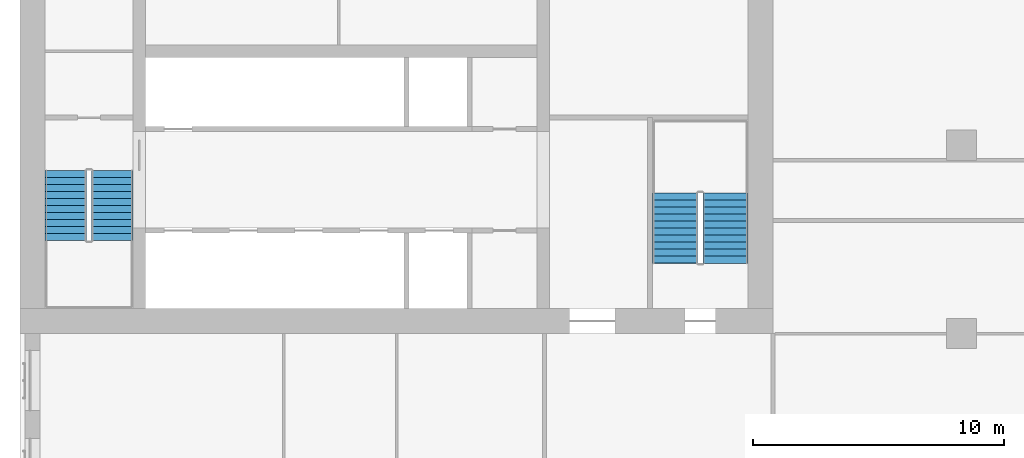
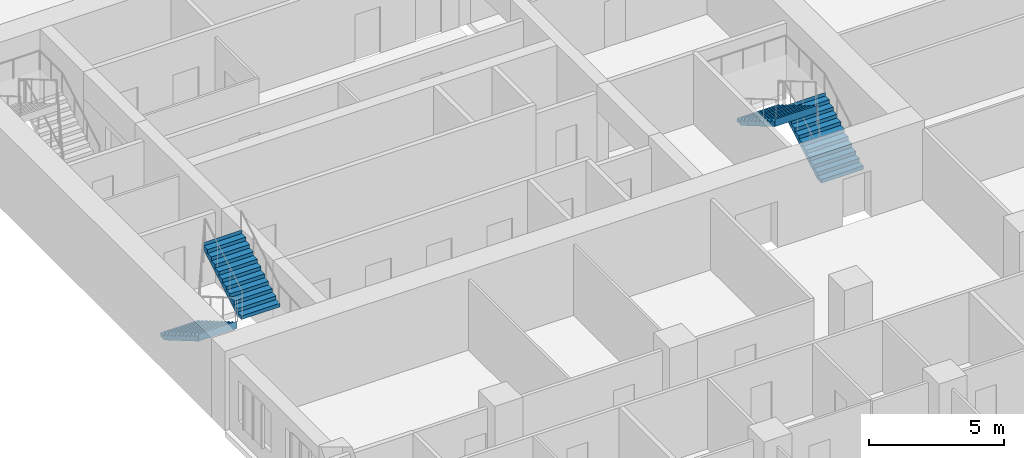
# One storey, part 12 of 14: 4 stair flights, 2 elements without a shape of their own.
"""IFC4 building model written with IfcOpenShell, lengths in metres."""

import ifcopenshell
import ifcopenshell.guid

model = None  # the IFC model being written
_history = None  # IfcOwnerHistory: only IFC2X3 demands one
_inside = {}  # id of a spatial element -> (the spatial element, [elements in it])
_under = {}  # id of a project, library or spatial element -> (it, [spatial elements below it])
_declared = {}  # id of a project -> (the project, [libraries it declares])
_typed = {}  # id of a type object -> (the type object, [elements of that type])
_made_of = {}  # id of a material, layer set ... -> (it, [elements and type objects made of it])


def new_model(schema):
    """Start an empty IFC model of exactly this schema.

    Asked for "IFC4X3", IfcOpenShell would pick the latest addendum, in which some entities
    have other attributes; the version numbers below select the first issue.
    IFC2X3 requires an IfcOwnerHistory on every rooted entity: one is made here for all.
    """
    global model, _history
    if schema == "IFC4X3":
        model = ifcopenshell.file(schema_version=(4, 3, 0, 0))
    else:
        model = ifcopenshell.file(schema=schema)
    _inside.clear()
    _under.clear()
    _declared.clear()
    _typed.clear()
    _made_of.clear()
    _history = None
    if model.schema == "IFC2X3":
        org = make("IfcOrganization", Name="unknown")
        user = make(
            "IfcPersonAndOrganization",
            ThePerson=make("IfcPerson", FamilyName="unknown"),
            TheOrganization=org,
        )
        app = make(
            "IfcApplication",
            ApplicationDeveloper=org,
            Version="unknown",
            ApplicationFullName="unknown",
            ApplicationIdentifier="unknown",
        )
        _history = make(
            "IfcOwnerHistory",
            OwningUser=user,
            OwningApplication=app,
            ChangeAction="ADDED",
            CreationDate=0,
        )
    return model


def make(cls, **values):
    """One entity of the class cls with the attributes given. An attribute that is None is left unset."""
    return model.create_entity(
        cls, **{name: value for name, value in values.items() if value is not None}
    )


def rooted(cls, **values):
    """An entity with a GlobalId (a new one), such as an element, a storey or a relation."""
    return make(cls, GlobalId=ifcopenshell.guid.new(), OwnerHistory=_history, **values)


def si_unit(unit_type, name, prefix=None):
    """IfcSIUnit, for example si_unit("LENGTHUNIT", "METRE", prefix="MILLI")."""
    return make("IfcSIUnit", UnitType=unit_type, Prefix=prefix, Name=name)


def assignment(units):
    """IfcUnitAssignment: the units of a project."""
    return None if units is None else make("IfcUnitAssignment", Units=units)


def point(xyz):
    """IfcCartesianPoint."""
    return None if xyz is None else make("IfcCartesianPoint", Coordinates=xyz)


def direction(xyz):
    """IfcDirection."""
    return None if xyz is None else make("IfcDirection", DirectionRatios=xyz)


def frame(location, z_axis=None, x_axis=None):
    """IfcAxis2Placement3D, a coordinate frame: its origin and axes. An axis left out is left unset."""
    return make(
        "IfcAxis2Placement3D",
        Location=point(location),
        Axis=direction(z_axis),
        RefDirection=direction(x_axis),
    )


def origin():
    """The frame at (0, 0, 0) with its axes left unset."""
    return frame((0.0, 0.0, 0.0))


def place(relative_to, where):
    """IfcLocalPlacement: puts the frame where relative to a parent placement (None: the world)."""
    return make(
        "IfcLocalPlacement", PlacementRelTo=relative_to, RelativePlacement=where
    )


def context(
    kind, dimensions, precision=None, world=None, true_north=None, identifier=None
):
    """IfcGeometricRepresentationContext, for example the 3D "Model" context."""
    return make(
        "IfcGeometricRepresentationContext",
        ContextIdentifier=identifier,
        ContextType=kind,
        CoordinateSpaceDimension=dimensions,
        Precision=precision,
        WorldCoordinateSystem=world,
        TrueNorth=true_north,
    )


def subcontext(parent, identifier, kind, view, scale=None):
    """IfcGeometricRepresentationSubContext, for example "Body" below "Model"."""
    return make(
        "IfcGeometricRepresentationSubContext",
        ContextIdentifier=identifier,
        ContextType=kind,
        ParentContext=parent,
        TargetScale=scale,
        TargetView=view,
    )


def project(units=None, contexts=None):
    """IfcProject with its units and contexts."""
    return rooted(
        "IfcProject",
        Name="project",
        RepresentationContexts=contexts,
        UnitsInContext=assignment(units),
    )


def spatial(cls, under=None, at=None, **own):
    """A site, building, storey or space (cls), placed at a placement, below another one or the project."""
    s = rooted(cls, ObjectPlacement=at, **own)
    if under is not None:
        _under.setdefault(under.id(), (under, []))[1].append(s)
    return s


def polyline(points):
    """IfcPolyline through the points."""
    return make("IfcPolyline", Points=[point(p) for p in points])


def outline(outer, holes=None, kind="AREA"):
    """IfcArbitraryClosedProfileDef: a profile drawn as a closed curve; with holes, ...WithVoids."""
    if holes is None:
        return make("IfcArbitraryClosedProfileDef", ProfileType=kind, OuterCurve=outer)
    return make(
        "IfcArbitraryProfileDefWithVoids",
        ProfileType=kind,
        OuterCurve=outer,
        InnerCurves=holes,
    )


def extrude(swept, where, along, depth):
    """IfcExtrudedAreaSolid: the profile swept, set in the frame where, extruded along a direction by depth."""
    return make(
        "IfcExtrudedAreaSolid",
        SweptArea=swept,
        Position=where,
        ExtrudedDirection=direction(along),
        Depth=depth,
    )


def shape(context_of_items, identifier, shape_type, items):
    """IfcShapeRepresentation: the items that make up one representation, for example the "Body"."""
    return make(
        "IfcShapeRepresentation",
        ContextOfItems=context_of_items,
        RepresentationIdentifier=identifier,
        RepresentationType=shape_type,
        Items=items,
    )


def material(Name=None, Category=None):
    """IfcMaterial."""
    return make("IfcMaterial", Name=Name, Category=Category)


def made_of(thing, what):
    """Note that an element or type object is made of a material, layer set ...; save() writes the relation."""
    if what is not None:
        _made_of.setdefault(what.id(), (what, []))[1].append(thing)
    return thing


def type_object(cls, material=None, **own):
    """A type object (cls), such as IfcWallType, which elements share."""
    return made_of(rooted(cls, **own), material)


def element(
    cls,
    number,
    at=None,
    inside=None,
    cuts=None,
    type_object=None,
    material=None,
    context=None,
    identifier="Body",
    shape_type=None,
    held_by="IfcProductDefinitionShape",
    body=None,
    shapes=None,
    **own,
):
    """One element of the class cls, such as IfcWall. Its Tag is "e" and its number.

    at: its placement. inside: the storey or other place that contains it. cuts: it is an
    opening in that element (IfcRelVoidsElement). A single representation is given by context,
    identifier, shape_type and body (its items); several are given by shapes. held_by: the class
    of the entity that holds the representations. save() writes the other relations.
    """
    e = rooted(cls, Tag="e%d" % number, ObjectPlacement=at, **own)
    if body is not None:
        shapes = [shape(context, identifier, shape_type, body)]
    if shapes is not None:
        e.Representation = make(held_by, Representations=shapes)
    if inside is not None:
        _inside.setdefault(inside.id(), (inside, []))[1].append(e)
    if cuts is not None:
        rooted(
            "IfcRelVoidsElement", RelatingBuildingElement=cuts, RelatedOpeningElement=e
        )
    if type_object is not None:
        _typed.setdefault(type_object.id(), (type_object, []))[1].append(e)
    return made_of(e, material)


def aggregate(whole, parts):
    """IfcRelAggregates: a whole, such as a stair, and the parts it consists of."""
    return rooted("IfcRelAggregates", RelatingObject=whole, RelatedObjects=parts)


def save(model, path):
    """Write the relations noted so far, then the file.

    IfcRelAggregates (storeys below a building ...), IfcRelContainedInSpatialStructure (elements
    in a storey), IfcRelDefinesByType, IfcRelAssociatesMaterial and IfcRelDeclares: one each for
    every whole, place, type object, material and project.
    """
    for whole, parts in _under.values():
        aggregate(whole, parts)
    for where, things in _inside.values():
        rooted(
            "IfcRelContainedInSpatialStructure",
            RelatedElements=things,
            RelatingStructure=where,
        )
    for kind, things in _typed.values():
        rooted("IfcRelDefinesByType", RelatedObjects=things, RelatingType=kind)
    for what, things in _made_of.values():
        rooted("IfcRelAssociatesMaterial", RelatedObjects=things, RelatingMaterial=what)
    for by, libraries in _declared.values():
        rooted("IfcRelDeclares", RelatingContext=by, RelatedDefinitions=libraries)
    model.write(path)


model = new_model("IFC4")

# Units and contexts
model_context = context("Model", 3, precision=1e-05, world=origin(), true_north=direction((0.0, 1.0)))
body_context = subcontext(model_context, "Body", "Model", "MODEL_VIEW")
ifc_project = project(units=[si_unit("LENGTHUNIT", "METRE"), si_unit("AREAUNIT", "SQUARE_METRE"), si_unit("VOLUMEUNIT", "CUBIC_METRE"), si_unit("PLANEANGLEUNIT", "RADIAN"), si_unit("MASSUNIT", "GRAM", prefix="KILO")], contexts=[model_context])

# Site, building, storey
site_placement = place(None, origin())
site = spatial("IfcSite", under=ifc_project, at=site_placement, CompositionType="ELEMENT")
building_placement = place(site_placement, origin())
building = spatial("IfcBuilding", under=site, at=building_placement, Name="Tamorin Gate", CompositionType="ELEMENT")
storey_placement = place(building_placement, frame((0.0, 0.0, 70.0)))
storey = spatial("IfcBuildingStorey", under=building, at=storey_placement, Name="L16", CompositionType="ELEMENT", Elevation=70.0)

# Stair, stair flights
ifc_material = material(Name="Concrete C40/50", Category="concrete")
stair_type = type_object("IfcStairType", Name="Exit stair", PredefinedType="HALF_TURN_STAIR", material=ifc_material)
stair_1_placement = place(storey_placement, origin())
stair_1 = element("IfcStair", 1, at=stair_1_placement, inside=storey, type_object=stair_type, Name="L16 stair ST1", PredefinedType="HALF_TURN_STAIR")
stair_flight_type = type_object("IfcStairFlightType", Name="Exit stair flight", PredefinedType="STRAIGHT", material=ifc_material)
stair_flight_1_placement = place(storey_placement, frame((31.824951171875, 66.5, 0.0), z_axis=(0.0, 0.0, 1.0), x_axis=(0.0, -1.0, 0.0)))
stair_flight_1 = element("IfcStairFlight", 2, at=stair_flight_1_placement, type_object=stair_flight_type, Name="ST1 flight 1", NumberOfRisers=11, NumberOfTreads=10, PredefinedType="STRAIGHT", RiserHeight=0.163636364, TreadLength=0.28, context=body_context, shape_type="SweptSolid", body=[
    extrude(outline(polyline([(-0.00048828125, 0.0), (-0.00048828125, 0.001708984375), (-0.00048828125, 0.003173828125), (-0.00048828125, 0.0048828125), (-0.00048828125, 0.006591796875), (-0.00048828125, 0.008056640625), (-0.00048828125, 0.009765625), (-0.00048828125, 0.01123046875), (-0.00048828125, 0.012939453125), (-0.00048828125, 0.0146484375), (-0.00048828125, 0.01611328125), (-0.00048828125, 0.017822265625), (-0.00048828125, 0.01953125), (-0.00048828125, 0.02099609375), (-0.00048828125, 0.022705078125), (-0.00048828125, 0.0244140625), (-0.00048828125, 0.02587890625), (-0.00048828125, 0.027587890625), (-0.00048828125, 0.029052734375), (-0.00048828125, 0.03076171875), (-0.00048828125, 0.032470703125), (-0.00048828125, 0.033935546875), (-0.00048828125, 0.03564453125), (-0.00048828125, 0.037353515625), (-0.00048828125, 0.038818359375), (-0.00048828125, 0.04052734375), (-0.00048828125, 0.042236328125), (-0.00048828125, 0.043701171875), (-0.00048828125, 0.04541015625), (-0.00048828125, 0.046875), (-0.00048828125, 0.048583984375), (-0.00048828125, 0.05029296875), (-0.00048828125, 0.0517578125), (-0.00048828125, 0.053466796875), (-0.00048828125, 0.05517578125), (-0.00048828125, 0.056640625), (-0.00048828125, 0.058349609375), (-0.00048828125, 0.06005859375), (-0.00048828125, 0.0615234375), (-0.00048828125, 0.063232421875), (-0.00048828125, 0.064697265625), (-0.00048828125, 0.06640625), (-0.00048828125, 0.068115234375), (-0.00048828125, 0.069580078125), (-0.00048828125, 0.0712890625), (-0.00048828125, 0.072998046875), (-0.00048828125, 0.074462890625), (-0.00048828125, 0.076171875), (-0.00048828125, 0.077880859375), (-0.00048828125, 0.079345703125), (-0.00048828125, 0.0810546875), (-0.00048828125, 0.08251953125), (-0.00048828125, 0.084228515625), (-0.00048828125, 0.0859375), (-0.00048828125, 0.08740234375), (-0.00048828125, 0.089111328125), (-0.00048828125, 0.0908203125), (-0.00048828125, 0.09228515625), (-0.00048828125, 0.093994140625), (-0.00048828125, 0.095703125), (-0.00048828125, 0.09716796875), (-0.00048828125, 0.098876953125), (-0.00048828125, 0.100341796875), (-0.00048828125, 0.10205078125), (-0.00048828125, 0.103759765625), (-0.00048828125, 0.105224609375), (-0.00048828125, 0.10693359375), (-0.00048828125, 0.108642578125), (-0.00048828125, 0.110107421875), (-0.00048828125, 0.11181640625), (-0.00048828125, 0.113525390625), (-0.00048828125, 0.114990234375), (-0.00048828125, 0.11669921875), (-0.00048828125, 0.1181640625), (-0.00048828125, 0.119873046875), (-0.00048828125, 0.12158203125), (-0.00048828125, 0.123046875), (-0.00048828125, 0.124755859375), (-0.00048828125, 0.12646484375), (-0.00048828125, 0.1279296875), (-0.00048828125, 0.129638671875), (-0.00048828125, 0.13134765625), (-0.00048828125, 0.1328125), (-0.00048828125, 0.134521484375), (-0.00048828125, 0.135986328125), (-0.00048828125, 0.1376953125), (-0.00048828125, 0.139404296875), (-0.00048828125, 0.140869140625), (-0.00048828125, 0.142578125), (-0.00048828125, 0.144287109375), (-0.00048828125, 0.145751953125), (-0.00048828125, 0.1474609375), (-0.00048828125, 0.149169921875), (-0.00048828125, 0.150634765625), (-0.00048828125, 0.15234375), (-0.00048828125, 0.15380859375), (-0.00048828125, 0.155517578125), (-0.00048828125, 0.1572265625), (-0.00048828125, 0.15869140625), (-0.00048828125, 0.160400390625), (-0.00048828125, 0.162109375), (-0.00048828125, 0.16357421875), (0.280029296875, 0.16357421875), (0.280029296875, 0.327392578125), (0.56005859375, 0.327392578125), (0.56005859375, 0.490966796875), (0.840087890625, 0.490966796875), (0.840087890625, 0.654541015625), (1.1201171875, 0.654541015625), (1.1201171875, 0.818115234375), (1.39990234375, 0.818115234375), (1.39990234375, 0.98193359375), (1.679931640625, 0.98193359375), (1.679931640625, 1.1455078125), (1.9599609375, 1.1455078125), (1.9599609375, 1.30908203125), (2.239990234375, 1.30908203125), (2.239990234375, 1.47265625), (2.52001953125, 1.47265625), (2.52001953125, 1.636474609375), (2.800048828125, 1.636474609375), (2.800048828125, 1.800048828125), (2.800537109375, 1.800048828125), (2.800537109375, 1.796630859375), (2.800537109375, 1.793212890625), (2.800537109375, 1.7900390625), (2.800537109375, 1.78662109375), (2.800537109375, 1.783203125), (2.800537109375, 1.780029296875), (2.800537109375, 1.776611328125), (2.800537109375, 1.773193359375), (2.800537109375, 1.77001953125), (2.800537109375, 1.7666015625), (2.800537109375, 1.76318359375), (2.800537109375, 1.760009765625), (2.800537109375, 1.756591796875), (2.800537109375, 1.753173828125), (2.800537109375, 1.75), (2.800537109375, 1.74658203125), (2.800537109375, 1.7431640625), (2.800537109375, 1.739990234375), (2.800537109375, 1.736572265625), (2.800537109375, 1.733154296875), (2.800537109375, 1.72998046875), (2.800537109375, 1.7265625), (2.800537109375, 1.72314453125), (2.800537109375, 1.719970703125), (2.800537109375, 1.716552734375), (2.800537109375, 1.713134765625), (2.800537109375, 1.7099609375), (2.800537109375, 1.70654296875), (2.800537109375, 1.703125), (2.800537109375, 1.69970703125), (2.800537109375, 1.696533203125), (2.800537109375, 1.693115234375), (2.800537109375, 1.689697265625), (2.800537109375, 1.6865234375), (2.800537109375, 1.68310546875), (2.800537109375, 1.6796875), (2.800537109375, 1.676513671875), (2.800537109375, 1.673095703125), (2.800537109375, 1.669677734375), (2.800537109375, 1.66650390625), (2.800537109375, 1.6630859375), (2.800537109375, 1.65966796875), (2.800537109375, 1.656494140625), (2.800537109375, 1.653076171875), (2.800537109375, 1.649658203125), (2.800537109375, 1.646484375), (2.800537109375, 1.64306640625), (2.800537109375, 1.6396484375), (2.800537109375, 1.636474609375), (2.800537109375, 1.633056640625), (2.800537109375, 1.629638671875), (2.800537109375, 1.62646484375), (2.800537109375, 1.623046875), (2.800537109375, 1.61962890625), (2.800537109375, 1.616455078125), (2.800537109375, 1.613037109375), (2.800537109375, 1.609619140625), (2.800537109375, 1.6064453125), (2.800537109375, 1.60302734375), (2.800537109375, 1.599609375), (2.800537109375, 1.59619140625), (2.800537109375, 1.593017578125), (2.800537109375, 1.589599609375), (2.800537109375, 1.586181640625), (2.800537109375, 1.5830078125), (2.800537109375, 1.57958984375), (2.800537109375, 1.576171875), (2.800537109375, 1.572998046875), (2.800537109375, 1.569580078125), (2.800537109375, 1.566162109375), (2.800537109375, 1.56298828125), (2.800537109375, 1.5595703125), (2.800537109375, 1.55615234375), (2.800537109375, 1.552978515625), (2.800537109375, 1.549560546875), (2.800537109375, 1.546142578125), (2.800537109375, 1.54296875), (2.800537109375, 1.53955078125), (2.800537109375, 1.5361328125), (2.800537109375, 1.532958984375), (2.800537109375, 1.529541015625), (2.800537109375, 1.526123046875), (2.800537109375, 1.52294921875), (2.800537109375, 1.51953125), (2.800537109375, 1.51611328125), (2.800537109375, 1.512939453125), (2.800537109375, 1.509521484375), (2.800537109375, 1.506103515625), (2.800537109375, 1.5029296875), (2.800537109375, 1.49951171875), (2.800537109375, 1.49609375), (2.800537109375, 1.49267578125), (2.800537109375, 1.489501953125), (2.800537109375, 1.486083984375), (2.800537109375, 1.482666015625), (2.800537109375, 1.4794921875), (2.800537109375, 1.47607421875), (2.800537109375, 1.47265625), (2.800537109375, 1.469482421875), (2.800537109375, 1.466064453125), (2.800537109375, 1.462646484375), (2.800048828125, 1.462646484375), (0.297119140625, 0.0), (-0.00048828125, 0.0)])), frame((0.0, 0.824951171875, 0.0), z_axis=(0.0, -1.0, 0.0), x_axis=(1.0, 0.0, 0.0)), (0.0, 0.0, 1.0), 1.64990234375),
])
stair_flight_2_placement = place(storey_placement, frame((33.675048828125, 63.699951171875, 1.800048828125), z_axis=(0.0, 0.0, 1.0), x_axis=(0.0, 1.0, 0.0)))
stair_flight_2 = element("IfcStairFlight", 3, at=stair_flight_2_placement, type_object=stair_flight_type, Name="ST1 flight 2", NumberOfRisers=11, NumberOfTreads=10, PredefinedType="STRAIGHT", RiserHeight=0.163636364, TreadLength=0.28, context=body_context, shape_type="SweptSolid", body=[
    extrude(outline(polyline([(-0.00048828125, 0.0), (-0.00048828125, 0.001708984375), (-0.00048828125, 0.003173828125), (-0.00048828125, 0.0048828125), (-0.00048828125, 0.006591796875), (-0.00048828125, 0.008056640625), (-0.00048828125, 0.009765625), (-0.00048828125, 0.01123046875), (-0.00048828125, 0.012939453125), (-0.00048828125, 0.0146484375), (-0.00048828125, 0.01611328125), (-0.00048828125, 0.017822265625), (-0.00048828125, 0.01953125), (-0.00048828125, 0.02099609375), (-0.00048828125, 0.022705078125), (-0.00048828125, 0.0244140625), (-0.00048828125, 0.02587890625), (-0.00048828125, 0.027587890625), (-0.00048828125, 0.029052734375), (-0.00048828125, 0.03076171875), (-0.00048828125, 0.032470703125), (-0.00048828125, 0.033935546875), (-0.00048828125, 0.03564453125), (-0.00048828125, 0.037353515625), (-0.00048828125, 0.038818359375), (-0.00048828125, 0.04052734375), (-0.00048828125, 0.042236328125), (-0.00048828125, 0.043701171875), (-0.00048828125, 0.04541015625), (-0.00048828125, 0.046875), (-0.00048828125, 0.048583984375), (-0.00048828125, 0.05029296875), (-0.00048828125, 0.0517578125), (-0.00048828125, 0.053466796875), (-0.00048828125, 0.05517578125), (-0.00048828125, 0.056640625), (-0.00048828125, 0.058349609375), (-0.00048828125, 0.06005859375), (-0.00048828125, 0.0615234375), (-0.00048828125, 0.063232421875), (-0.00048828125, 0.064697265625), (-0.00048828125, 0.06640625), (-0.00048828125, 0.068115234375), (-0.00048828125, 0.069580078125), (-0.00048828125, 0.0712890625), (-0.00048828125, 0.072998046875), (-0.00048828125, 0.074462890625), (-0.00048828125, 0.076171875), (-0.00048828125, 0.077880859375), (-0.00048828125, 0.079345703125), (-0.00048828125, 0.0810546875), (-0.00048828125, 0.08251953125), (-0.00048828125, 0.084228515625), (-0.00048828125, 0.0859375), (-0.00048828125, 0.08740234375), (-0.00048828125, 0.089111328125), (-0.00048828125, 0.0908203125), (-0.00048828125, 0.09228515625), (-0.00048828125, 0.093994140625), (-0.00048828125, 0.095703125), (-0.00048828125, 0.09716796875), (-0.00048828125, 0.098876953125), (-0.00048828125, 0.100341796875), (-0.00048828125, 0.10205078125), (-0.00048828125, 0.103759765625), (-0.00048828125, 0.105224609375), (-0.00048828125, 0.10693359375), (-0.00048828125, 0.108642578125), (-0.00048828125, 0.110107421875), (-0.00048828125, 0.11181640625), (-0.00048828125, 0.113525390625), (-0.00048828125, 0.114990234375), (-0.00048828125, 0.11669921875), (-0.00048828125, 0.1181640625), (-0.00048828125, 0.119873046875), (-0.00048828125, 0.12158203125), (-0.00048828125, 0.123046875), (-0.00048828125, 0.124755859375), (-0.00048828125, 0.12646484375), (-0.00048828125, 0.1279296875), (-0.00048828125, 0.129638671875), (-0.00048828125, 0.13134765625), (-0.00048828125, 0.1328125), (-0.00048828125, 0.134521484375), (-0.00048828125, 0.135986328125), (-0.00048828125, 0.1376953125), (-0.00048828125, 0.139404296875), (-0.00048828125, 0.140869140625), (-0.00048828125, 0.142578125), (-0.00048828125, 0.144287109375), (-0.00048828125, 0.145751953125), (-0.00048828125, 0.1474609375), (-0.00048828125, 0.149169921875), (-0.00048828125, 0.150634765625), (-0.00048828125, 0.15234375), (-0.00048828125, 0.15380859375), (-0.00048828125, 0.155517578125), (-0.00048828125, 0.1572265625), (-0.00048828125, 0.15869140625), (-0.00048828125, 0.160400390625), (-0.00048828125, 0.162109375), (-0.00048828125, 0.16357421875), (0.280029296875, 0.16357421875), (0.280029296875, 0.327392578125), (0.56005859375, 0.327392578125), (0.56005859375, 0.490966796875), (0.840087890625, 0.490966796875), (0.840087890625, 0.654541015625), (1.1201171875, 0.654541015625), (1.1201171875, 0.818115234375), (1.39990234375, 0.818115234375), (1.39990234375, 0.98193359375), (1.679931640625, 0.98193359375), (1.679931640625, 1.1455078125), (1.9599609375, 1.1455078125), (1.9599609375, 1.30908203125), (2.239990234375, 1.30908203125), (2.239990234375, 1.47265625), (2.52001953125, 1.47265625), (2.52001953125, 1.636474609375), (2.800048828125, 1.636474609375), (2.800048828125, 1.800048828125), (2.800537109375, 1.800048828125), (2.800537109375, 1.796630859375), (2.800537109375, 1.793212890625), (2.800537109375, 1.7900390625), (2.800537109375, 1.78662109375), (2.800537109375, 1.783203125), (2.800537109375, 1.780029296875), (2.800537109375, 1.776611328125), (2.800537109375, 1.773193359375), (2.800537109375, 1.77001953125), (2.800537109375, 1.7666015625), (2.800537109375, 1.76318359375), (2.800537109375, 1.760009765625), (2.800537109375, 1.756591796875), (2.800537109375, 1.753173828125), (2.800537109375, 1.75), (2.800537109375, 1.74658203125), (2.800537109375, 1.7431640625), (2.800537109375, 1.739990234375), (2.800537109375, 1.736572265625), (2.800537109375, 1.733154296875), (2.800537109375, 1.72998046875), (2.800537109375, 1.7265625), (2.800537109375, 1.72314453125), (2.800537109375, 1.719970703125), (2.800537109375, 1.716552734375), (2.800537109375, 1.713134765625), (2.800537109375, 1.7099609375), (2.800537109375, 1.70654296875), (2.800537109375, 1.703125), (2.800537109375, 1.69970703125), (2.800537109375, 1.696533203125), (2.800537109375, 1.693115234375), (2.800537109375, 1.689697265625), (2.800537109375, 1.6865234375), (2.800537109375, 1.68310546875), (2.800537109375, 1.6796875), (2.800537109375, 1.676513671875), (2.800537109375, 1.673095703125), (2.800537109375, 1.669677734375), (2.800537109375, 1.66650390625), (2.800537109375, 1.6630859375), (2.800537109375, 1.65966796875), (2.800537109375, 1.656494140625), (2.800537109375, 1.653076171875), (2.800537109375, 1.649658203125), (2.800537109375, 1.646484375), (2.800537109375, 1.64306640625), (2.800537109375, 1.6396484375), (2.800537109375, 1.636474609375), (2.800537109375, 1.633056640625), (2.800537109375, 1.629638671875), (2.800537109375, 1.62646484375), (2.800537109375, 1.623046875), (2.800537109375, 1.61962890625), (2.800537109375, 1.616455078125), (2.800537109375, 1.613037109375), (2.800537109375, 1.609619140625), (2.800537109375, 1.6064453125), (2.800537109375, 1.60302734375), (2.800537109375, 1.599609375), (2.800537109375, 1.59619140625), (2.800537109375, 1.593017578125), (2.800537109375, 1.589599609375), (2.800537109375, 1.586181640625), (2.800537109375, 1.5830078125), (2.800537109375, 1.57958984375), (2.800537109375, 1.576171875), (2.800537109375, 1.572998046875), (2.800537109375, 1.569580078125), (2.800537109375, 1.566162109375), (2.800537109375, 1.56298828125), (2.800537109375, 1.5595703125), (2.800537109375, 1.55615234375), (2.800537109375, 1.552978515625), (2.800537109375, 1.549560546875), (2.800537109375, 1.546142578125), (2.800537109375, 1.54296875), (2.800537109375, 1.53955078125), (2.800537109375, 1.5361328125), (2.800537109375, 1.532958984375), (2.800537109375, 1.529541015625), (2.800537109375, 1.526123046875), (2.800537109375, 1.52294921875), (2.800537109375, 1.51953125), (2.800537109375, 1.51611328125), (2.800537109375, 1.512939453125), (2.800537109375, 1.509521484375), (2.800537109375, 1.506103515625), (2.800537109375, 1.5029296875), (2.800537109375, 1.49951171875), (2.800537109375, 1.49609375), (2.800537109375, 1.49267578125), (2.800537109375, 1.489501953125), (2.800537109375, 1.486083984375), (2.800537109375, 1.482666015625), (2.800537109375, 1.4794921875), (2.800537109375, 1.47607421875), (2.800537109375, 1.47265625), (2.800537109375, 1.469482421875), (2.800537109375, 1.466064453125), (2.800537109375, 1.462646484375), (2.800048828125, 1.462646484375), (0.297119140625, 0.0), (-0.00048828125, 0.0)])), frame((0.0, 0.824951171875, 0.0), z_axis=(0.0, -1.0, 0.0), x_axis=(1.0, 0.0, 0.0)), (0.0, 0.0, 1.0), 1.64990234375),
])
aggregate(stair_1, [stair_flight_1, stair_flight_2])

stair_2_placement = place(storey_placement, origin())
stair_2 = element("IfcStair", 4, at=stair_2_placement, inside=storey, type_object=stair_type, Name="L16 stair ST3", PredefinedType="HALF_TURN_STAIR")
stair_flight_3_placement = place(storey_placement, frame((58.10009765625, 62.800048828125, 0.0), z_axis=(0.0, 0.0, 1.0), x_axis=(0.0, 1.0, 0.0)))
stair_flight_3 = element("IfcStairFlight", 5, at=stair_flight_3_placement, type_object=stair_flight_type, Name="ST3 flight 1", NumberOfRisers=11, NumberOfTreads=10, PredefinedType="STRAIGHT", RiserHeight=0.163636364, TreadLength=0.28, context=body_context, shape_type="SweptSolid", body=[
    extrude(outline(polyline([(-0.00048828125, 0.0), (-0.00048828125, 0.001708984375), (-0.00048828125, 0.003173828125), (-0.00048828125, 0.0048828125), (-0.00048828125, 0.006591796875), (-0.00048828125, 0.008056640625), (-0.00048828125, 0.009765625), (-0.00048828125, 0.01123046875), (-0.00048828125, 0.012939453125), (-0.00048828125, 0.0146484375), (-0.00048828125, 0.01611328125), (-0.00048828125, 0.017822265625), (-0.00048828125, 0.01953125), (-0.00048828125, 0.02099609375), (-0.00048828125, 0.022705078125), (-0.00048828125, 0.0244140625), (-0.00048828125, 0.02587890625), (-0.00048828125, 0.027587890625), (-0.00048828125, 0.029052734375), (-0.00048828125, 0.03076171875), (-0.00048828125, 0.032470703125), (-0.00048828125, 0.033935546875), (-0.00048828125, 0.03564453125), (-0.00048828125, 0.037353515625), (-0.00048828125, 0.038818359375), (-0.00048828125, 0.04052734375), (-0.00048828125, 0.042236328125), (-0.00048828125, 0.043701171875), (-0.00048828125, 0.04541015625), (-0.00048828125, 0.046875), (-0.00048828125, 0.048583984375), (-0.00048828125, 0.05029296875), (-0.00048828125, 0.0517578125), (-0.00048828125, 0.053466796875), (-0.00048828125, 0.05517578125), (-0.00048828125, 0.056640625), (-0.00048828125, 0.058349609375), (-0.00048828125, 0.06005859375), (-0.00048828125, 0.0615234375), (-0.00048828125, 0.063232421875), (-0.00048828125, 0.064697265625), (-0.00048828125, 0.06640625), (-0.00048828125, 0.068115234375), (-0.00048828125, 0.069580078125), (-0.00048828125, 0.0712890625), (-0.00048828125, 0.072998046875), (-0.00048828125, 0.074462890625), (-0.00048828125, 0.076171875), (-0.00048828125, 0.077880859375), (-0.00048828125, 0.079345703125), (-0.00048828125, 0.0810546875), (-0.00048828125, 0.08251953125), (-0.00048828125, 0.084228515625), (-0.00048828125, 0.0859375), (-0.00048828125, 0.08740234375), (-0.00048828125, 0.089111328125), (-0.00048828125, 0.0908203125), (-0.00048828125, 0.09228515625), (-0.00048828125, 0.093994140625), (-0.00048828125, 0.095703125), (-0.00048828125, 0.09716796875), (-0.00048828125, 0.098876953125), (-0.00048828125, 0.100341796875), (-0.00048828125, 0.10205078125), (-0.00048828125, 0.103759765625), (-0.00048828125, 0.105224609375), (-0.00048828125, 0.10693359375), (-0.00048828125, 0.108642578125), (-0.00048828125, 0.110107421875), (-0.00048828125, 0.11181640625), (-0.00048828125, 0.113525390625), (-0.00048828125, 0.114990234375), (-0.00048828125, 0.11669921875), (-0.00048828125, 0.1181640625), (-0.00048828125, 0.119873046875), (-0.00048828125, 0.12158203125), (-0.00048828125, 0.123046875), (-0.00048828125, 0.124755859375), (-0.00048828125, 0.12646484375), (-0.00048828125, 0.1279296875), (-0.00048828125, 0.129638671875), (-0.00048828125, 0.13134765625), (-0.00048828125, 0.1328125), (-0.00048828125, 0.134521484375), (-0.00048828125, 0.135986328125), (-0.00048828125, 0.1376953125), (-0.00048828125, 0.139404296875), (-0.00048828125, 0.140869140625), (-0.00048828125, 0.142578125), (-0.00048828125, 0.144287109375), (-0.00048828125, 0.145751953125), (-0.00048828125, 0.1474609375), (-0.00048828125, 0.149169921875), (-0.00048828125, 0.150634765625), (-0.00048828125, 0.15234375), (-0.00048828125, 0.15380859375), (-0.00048828125, 0.155517578125), (-0.00048828125, 0.1572265625), (-0.00048828125, 0.15869140625), (-0.00048828125, 0.160400390625), (-0.00048828125, 0.162109375), (-0.00048828125, 0.16357421875), (0.280029296875, 0.16357421875), (0.280029296875, 0.327392578125), (0.56005859375, 0.327392578125), (0.56005859375, 0.490966796875), (0.840087890625, 0.490966796875), (0.840087890625, 0.654541015625), (1.1201171875, 0.654541015625), (1.1201171875, 0.818115234375), (1.39990234375, 0.818115234375), (1.39990234375, 0.98193359375), (1.679931640625, 0.98193359375), (1.679931640625, 1.1455078125), (1.9599609375, 1.1455078125), (1.9599609375, 1.30908203125), (2.239990234375, 1.30908203125), (2.239990234375, 1.47265625), (2.52001953125, 1.47265625), (2.52001953125, 1.636474609375), (2.800048828125, 1.636474609375), (2.800048828125, 1.800048828125), (2.800537109375, 1.800048828125), (2.800537109375, 1.796630859375), (2.800537109375, 1.793212890625), (2.800537109375, 1.7900390625), (2.800537109375, 1.78662109375), (2.800537109375, 1.783203125), (2.800537109375, 1.780029296875), (2.800537109375, 1.776611328125), (2.800537109375, 1.773193359375), (2.800537109375, 1.77001953125), (2.800537109375, 1.7666015625), (2.800537109375, 1.76318359375), (2.800537109375, 1.760009765625), (2.800537109375, 1.756591796875), (2.800537109375, 1.753173828125), (2.800537109375, 1.75), (2.800537109375, 1.74658203125), (2.800537109375, 1.7431640625), (2.800537109375, 1.739990234375), (2.800537109375, 1.736572265625), (2.800537109375, 1.733154296875), (2.800537109375, 1.72998046875), (2.800537109375, 1.7265625), (2.800537109375, 1.72314453125), (2.800537109375, 1.719970703125), (2.800537109375, 1.716552734375), (2.800537109375, 1.713134765625), (2.800537109375, 1.7099609375), (2.800537109375, 1.70654296875), (2.800537109375, 1.703125), (2.800537109375, 1.69970703125), (2.800537109375, 1.696533203125), (2.800537109375, 1.693115234375), (2.800537109375, 1.689697265625), (2.800537109375, 1.6865234375), (2.800537109375, 1.68310546875), (2.800537109375, 1.6796875), (2.800537109375, 1.676513671875), (2.800537109375, 1.673095703125), (2.800537109375, 1.669677734375), (2.800537109375, 1.66650390625), (2.800537109375, 1.6630859375), (2.800537109375, 1.65966796875), (2.800537109375, 1.656494140625), (2.800537109375, 1.653076171875), (2.800537109375, 1.649658203125), (2.800537109375, 1.646484375), (2.800537109375, 1.64306640625), (2.800537109375, 1.6396484375), (2.800537109375, 1.636474609375), (2.800537109375, 1.633056640625), (2.800537109375, 1.629638671875), (2.800537109375, 1.62646484375), (2.800537109375, 1.623046875), (2.800537109375, 1.61962890625), (2.800537109375, 1.616455078125), (2.800537109375, 1.613037109375), (2.800537109375, 1.609619140625), (2.800537109375, 1.6064453125), (2.800537109375, 1.60302734375), (2.800537109375, 1.599609375), (2.800537109375, 1.59619140625), (2.800537109375, 1.593017578125), (2.800537109375, 1.589599609375), (2.800537109375, 1.586181640625), (2.800537109375, 1.5830078125), (2.800537109375, 1.57958984375), (2.800537109375, 1.576171875), (2.800537109375, 1.572998046875), (2.800537109375, 1.569580078125), (2.800537109375, 1.566162109375), (2.800537109375, 1.56298828125), (2.800537109375, 1.5595703125), (2.800537109375, 1.55615234375), (2.800537109375, 1.552978515625), (2.800537109375, 1.549560546875), (2.800537109375, 1.546142578125), (2.800537109375, 1.54296875), (2.800537109375, 1.53955078125), (2.800537109375, 1.5361328125), (2.800537109375, 1.532958984375), (2.800537109375, 1.529541015625), (2.800537109375, 1.526123046875), (2.800537109375, 1.52294921875), (2.800537109375, 1.51953125), (2.800537109375, 1.51611328125), (2.800537109375, 1.512939453125), (2.800537109375, 1.509521484375), (2.800537109375, 1.506103515625), (2.800537109375, 1.5029296875), (2.800537109375, 1.49951171875), (2.800537109375, 1.49609375), (2.800537109375, 1.49267578125), (2.800537109375, 1.489501953125), (2.800537109375, 1.486083984375), (2.800537109375, 1.482666015625), (2.800537109375, 1.4794921875), (2.800537109375, 1.47607421875), (2.800537109375, 1.47265625), (2.800537109375, 1.469482421875), (2.800537109375, 1.466064453125), (2.800537109375, 1.462646484375), (2.800048828125, 1.462646484375), (0.297119140625, 0.0), (-0.00048828125, 0.0)])), frame((0.0, 0.89990234375, 0.0), z_axis=(0.0, -1.0, 0.0), x_axis=(1.0, 0.0, 0.0)), (0.0, 0.0, 1.0), 1.800048828125),
])
stair_flight_4_placement = place(storey_placement, frame((56.10009765625, 65.60009765625, 1.800048828125), z_axis=(0.0, 0.0, 1.0), x_axis=(0.0, -1.0, 0.0)))
stair_flight_4 = element("IfcStairFlight", 6, at=stair_flight_4_placement, type_object=stair_flight_type, Name="ST3 flight 2", NumberOfRisers=11, NumberOfTreads=10, PredefinedType="STRAIGHT", RiserHeight=0.163636364, TreadLength=0.28, context=body_context, shape_type="SweptSolid", body=[
    extrude(outline(polyline([(-0.00048828125, 0.0), (-0.00048828125, 0.001708984375), (-0.00048828125, 0.003173828125), (-0.00048828125, 0.0048828125), (-0.00048828125, 0.006591796875), (-0.00048828125, 0.008056640625), (-0.00048828125, 0.009765625), (-0.00048828125, 0.01123046875), (-0.00048828125, 0.012939453125), (-0.00048828125, 0.0146484375), (-0.00048828125, 0.01611328125), (-0.00048828125, 0.017822265625), (-0.00048828125, 0.01953125), (-0.00048828125, 0.02099609375), (-0.00048828125, 0.022705078125), (-0.00048828125, 0.0244140625), (-0.00048828125, 0.02587890625), (-0.00048828125, 0.027587890625), (-0.00048828125, 0.029052734375), (-0.00048828125, 0.03076171875), (-0.00048828125, 0.032470703125), (-0.00048828125, 0.033935546875), (-0.00048828125, 0.03564453125), (-0.00048828125, 0.037353515625), (-0.00048828125, 0.038818359375), (-0.00048828125, 0.04052734375), (-0.00048828125, 0.042236328125), (-0.00048828125, 0.043701171875), (-0.00048828125, 0.04541015625), (-0.00048828125, 0.046875), (-0.00048828125, 0.048583984375), (-0.00048828125, 0.05029296875), (-0.00048828125, 0.0517578125), (-0.00048828125, 0.053466796875), (-0.00048828125, 0.05517578125), (-0.00048828125, 0.056640625), (-0.00048828125, 0.058349609375), (-0.00048828125, 0.06005859375), (-0.00048828125, 0.0615234375), (-0.00048828125, 0.063232421875), (-0.00048828125, 0.064697265625), (-0.00048828125, 0.06640625), (-0.00048828125, 0.068115234375), (-0.00048828125, 0.069580078125), (-0.00048828125, 0.0712890625), (-0.00048828125, 0.072998046875), (-0.00048828125, 0.074462890625), (-0.00048828125, 0.076171875), (-0.00048828125, 0.077880859375), (-0.00048828125, 0.079345703125), (-0.00048828125, 0.0810546875), (-0.00048828125, 0.08251953125), (-0.00048828125, 0.084228515625), (-0.00048828125, 0.0859375), (-0.00048828125, 0.08740234375), (-0.00048828125, 0.089111328125), (-0.00048828125, 0.0908203125), (-0.00048828125, 0.09228515625), (-0.00048828125, 0.093994140625), (-0.00048828125, 0.095703125), (-0.00048828125, 0.09716796875), (-0.00048828125, 0.098876953125), (-0.00048828125, 0.100341796875), (-0.00048828125, 0.10205078125), (-0.00048828125, 0.103759765625), (-0.00048828125, 0.105224609375), (-0.00048828125, 0.10693359375), (-0.00048828125, 0.108642578125), (-0.00048828125, 0.110107421875), (-0.00048828125, 0.11181640625), (-0.00048828125, 0.113525390625), (-0.00048828125, 0.114990234375), (-0.00048828125, 0.11669921875), (-0.00048828125, 0.1181640625), (-0.00048828125, 0.119873046875), (-0.00048828125, 0.12158203125), (-0.00048828125, 0.123046875), (-0.00048828125, 0.124755859375), (-0.00048828125, 0.12646484375), (-0.00048828125, 0.1279296875), (-0.00048828125, 0.129638671875), (-0.00048828125, 0.13134765625), (-0.00048828125, 0.1328125), (-0.00048828125, 0.134521484375), (-0.00048828125, 0.135986328125), (-0.00048828125, 0.1376953125), (-0.00048828125, 0.139404296875), (-0.00048828125, 0.140869140625), (-0.00048828125, 0.142578125), (-0.00048828125, 0.144287109375), (-0.00048828125, 0.145751953125), (-0.00048828125, 0.1474609375), (-0.00048828125, 0.149169921875), (-0.00048828125, 0.150634765625), (-0.00048828125, 0.15234375), (-0.00048828125, 0.15380859375), (-0.00048828125, 0.155517578125), (-0.00048828125, 0.1572265625), (-0.00048828125, 0.15869140625), (-0.00048828125, 0.160400390625), (-0.00048828125, 0.162109375), (-0.00048828125, 0.16357421875), (0.280029296875, 0.16357421875), (0.280029296875, 0.327392578125), (0.56005859375, 0.327392578125), (0.56005859375, 0.490966796875), (0.840087890625, 0.490966796875), (0.840087890625, 0.654541015625), (1.1201171875, 0.654541015625), (1.1201171875, 0.818115234375), (1.39990234375, 0.818115234375), (1.39990234375, 0.98193359375), (1.679931640625, 0.98193359375), (1.679931640625, 1.1455078125), (1.9599609375, 1.1455078125), (1.9599609375, 1.30908203125), (2.239990234375, 1.30908203125), (2.239990234375, 1.47265625), (2.52001953125, 1.47265625), (2.52001953125, 1.636474609375), (2.800048828125, 1.636474609375), (2.800048828125, 1.800048828125), (2.800537109375, 1.800048828125), (2.800537109375, 1.796630859375), (2.800537109375, 1.793212890625), (2.800537109375, 1.7900390625), (2.800537109375, 1.78662109375), (2.800537109375, 1.783203125), (2.800537109375, 1.780029296875), (2.800537109375, 1.776611328125), (2.800537109375, 1.773193359375), (2.800537109375, 1.77001953125), (2.800537109375, 1.7666015625), (2.800537109375, 1.76318359375), (2.800537109375, 1.760009765625), (2.800537109375, 1.756591796875), (2.800537109375, 1.753173828125), (2.800537109375, 1.75), (2.800537109375, 1.74658203125), (2.800537109375, 1.7431640625), (2.800537109375, 1.739990234375), (2.800537109375, 1.736572265625), (2.800537109375, 1.733154296875), (2.800537109375, 1.72998046875), (2.800537109375, 1.7265625), (2.800537109375, 1.72314453125), (2.800537109375, 1.719970703125), (2.800537109375, 1.716552734375), (2.800537109375, 1.713134765625), (2.800537109375, 1.7099609375), (2.800537109375, 1.70654296875), (2.800537109375, 1.703125), (2.800537109375, 1.69970703125), (2.800537109375, 1.696533203125), (2.800537109375, 1.693115234375), (2.800537109375, 1.689697265625), (2.800537109375, 1.6865234375), (2.800537109375, 1.68310546875), (2.800537109375, 1.6796875), (2.800537109375, 1.676513671875), (2.800537109375, 1.673095703125), (2.800537109375, 1.669677734375), (2.800537109375, 1.66650390625), (2.800537109375, 1.6630859375), (2.800537109375, 1.65966796875), (2.800537109375, 1.656494140625), (2.800537109375, 1.653076171875), (2.800537109375, 1.649658203125), (2.800537109375, 1.646484375), (2.800537109375, 1.64306640625), (2.800537109375, 1.6396484375), (2.800537109375, 1.636474609375), (2.800537109375, 1.633056640625), (2.800537109375, 1.629638671875), (2.800537109375, 1.62646484375), (2.800537109375, 1.623046875), (2.800537109375, 1.61962890625), (2.800537109375, 1.616455078125), (2.800537109375, 1.613037109375), (2.800537109375, 1.609619140625), (2.800537109375, 1.6064453125), (2.800537109375, 1.60302734375), (2.800537109375, 1.599609375), (2.800537109375, 1.59619140625), (2.800537109375, 1.593017578125), (2.800537109375, 1.589599609375), (2.800537109375, 1.586181640625), (2.800537109375, 1.5830078125), (2.800537109375, 1.57958984375), (2.800537109375, 1.576171875), (2.800537109375, 1.572998046875), (2.800537109375, 1.569580078125), (2.800537109375, 1.566162109375), (2.800537109375, 1.56298828125), (2.800537109375, 1.5595703125), (2.800537109375, 1.55615234375), (2.800537109375, 1.552978515625), (2.800537109375, 1.549560546875), (2.800537109375, 1.546142578125), (2.800537109375, 1.54296875), (2.800537109375, 1.53955078125), (2.800537109375, 1.5361328125), (2.800537109375, 1.532958984375), (2.800537109375, 1.529541015625), (2.800537109375, 1.526123046875), (2.800537109375, 1.52294921875), (2.800537109375, 1.51953125), (2.800537109375, 1.51611328125), (2.800537109375, 1.512939453125), (2.800537109375, 1.509521484375), (2.800537109375, 1.506103515625), (2.800537109375, 1.5029296875), (2.800537109375, 1.49951171875), (2.800537109375, 1.49609375), (2.800537109375, 1.49267578125), (2.800537109375, 1.489501953125), (2.800537109375, 1.486083984375), (2.800537109375, 1.482666015625), (2.800537109375, 1.4794921875), (2.800537109375, 1.47607421875), (2.800537109375, 1.47265625), (2.800537109375, 1.469482421875), (2.800537109375, 1.466064453125), (2.800537109375, 1.462646484375), (2.800048828125, 1.462646484375), (0.297119140625, 0.0), (-0.00048828125, 0.0)])), frame((0.0, 0.89990234375, 0.0), z_axis=(0.0, -1.0, 0.0), x_axis=(1.0, 0.0, 0.0)), (0.0, 0.0, 1.0), 1.800048828125),
])
aggregate(stair_2, [stair_flight_3, stair_flight_4])

save(model, "model.ifc")
